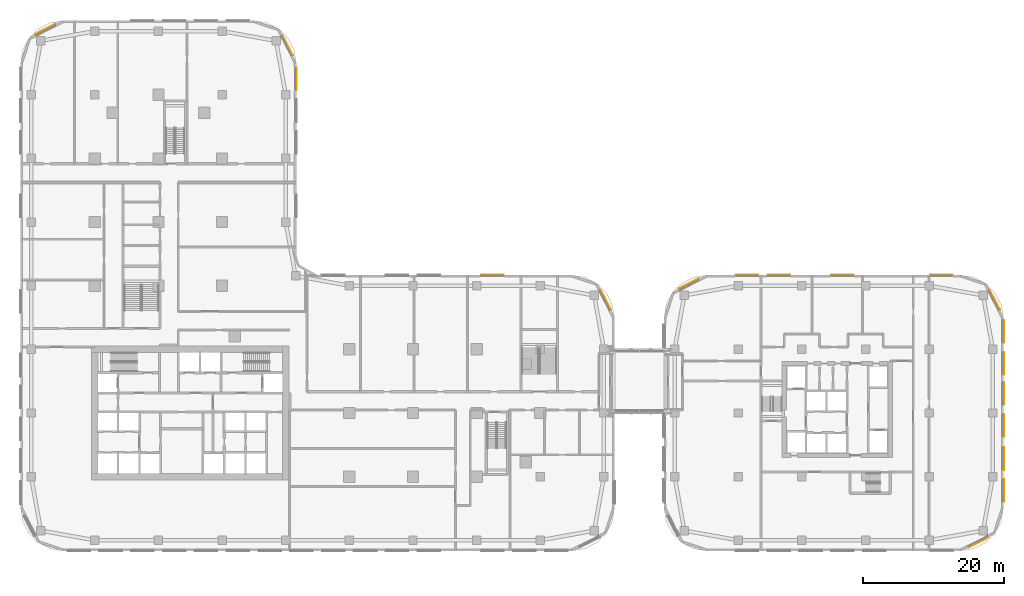
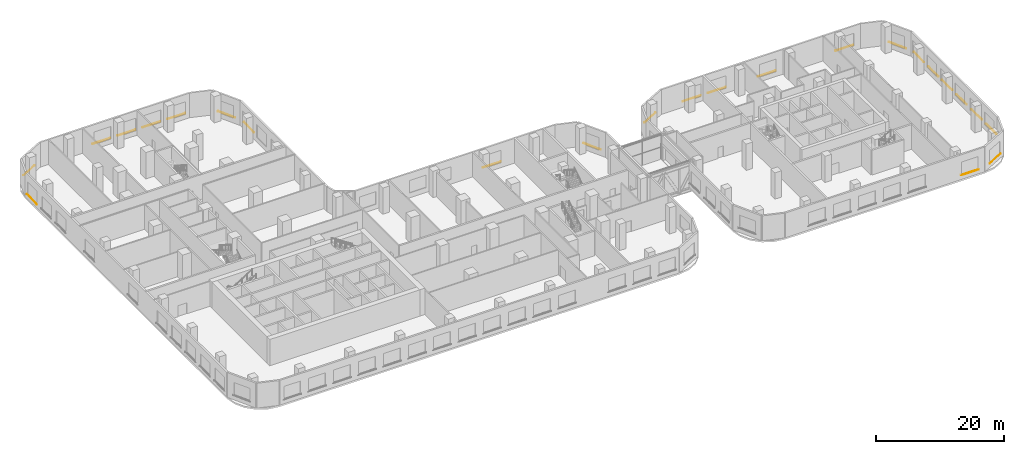
# One storey, part 35 of 35: 24 coverings.
"""IFC4 building model written with IfcOpenShell, lengths in metres."""

from ifc_helpers import new_model, si_unit, direction, frame, origin, origin_2d, place, context, subcontext, project, spatial, rectangle, extrude, material, layer, layer_set, type_object, element, save


model = new_model("IFC4")

# Units and contexts
model_context = context("Model", 3, precision=1e-05, world=origin(), true_north=direction((0.0, 1.0)))
body_context = subcontext(model_context, "Body", "Model", "MODEL_VIEW")
ifc_project = project(units=[si_unit("LENGTHUNIT", "METRE"), si_unit("AREAUNIT", "SQUARE_METRE"), si_unit("VOLUMEUNIT", "CUBIC_METRE"), si_unit("PLANEANGLEUNIT", "RADIAN"), si_unit("MASSUNIT", "GRAM", prefix="KILO")], contexts=[model_context])

# Site, building, storey
site_placement = place(None, origin())
site = spatial("IfcSite", under=ifc_project, at=site_placement, CompositionType="ELEMENT")
building_placement = place(site_placement, origin())
building = spatial("IfcBuilding", under=site, at=building_placement, Name="Ogive Portal Towers", CompositionType="ELEMENT")
storey_placement = place(building_placement, frame((0.0, 0.0, 18.5)))
storey = spatial("IfcBuildingStorey", under=building, at=storey_placement, Name="L03", CompositionType="ELEMENT", Elevation=18.5)

# Coverings
ifc_material = material(Name="Limestone cladding on lightweight block wall", Category="masonry")
ifc_layer = layer(ifc_material, 0.080078125)
ifc_layer_set = layer_set([ifc_layer], Name="STONE SILL 80")
covering_type = type_object("IfcCoveringType", Name="STONE SILL 80", PredefinedType="CLADDING", material=ifc_layer_set)
for number, where, z_axis, x_axis, name in (
    (1, (103.766357421875, 46.50927734375, 0.840087890625), (0.0, 0.0, 1.0), (-0.45399049974, 0.891006524188, 0.0), "Stone sill"),
    (2, (87.75, 50.0400390625, 0.840087890625), (0.0, 0.0, 1.0), (-1.0, 0.0, 0.0), "Stone sill"),
    (3, (60.0400390625, 77.75, 0.840087890625), (0.0, 0.0, 1.0), (0.0, 1.0, 0.0), "Stone sill"),
    (4, (58.766357421875, 82.50927734375, 0.840087890625), (0.0, 0.0, 1.0), (-0.45399049974, 0.891006524188, 0.0), "Stone sill"),
    (5, (51.726318359375, 86.0400390625, 0.840087890625), (0.0, 0.0, 1.0), (-1.0, 0.0, 0.0), "Stone sill"),
    (6, (47.25, 86.0400390625, 0.840087890625), (0.0, 0.0, 1.0), (-1.0, 0.0, 0.0), "Stone sill"),
    (7, (42.75, 86.0400390625, 0.840087890625), (0.0, 0.0, 1.0), (-1.0, 0.0, 0.0), "Stone sill"),
    (8, (38.25, 86.0400390625, 0.840087890625), (0.0, 0.0, 1.0), (-1.0, 0.0, 0.0), "Stone sill"),
    (9, (24.49072265625, 84.766357421875, 0.840087890625), (0.0, 0.0, 1.0), (-0.891006524188, -0.45399049974, 0.0), "Stone sill"),
    (10, (20.9599609375, 77.726318359375, 0.840087890625), (0.0, 0.0, 1.0), (0.0, -1.0, 0.0), "Stone sill"),
    (11, (151.273681640625, 10.9599609375, 0.840087890625), (0.0, 0.0, 1.0), (1.0, 0.0, 0.0), "Stone sill"),
    (12, (156.50927734375, 12.233642578125, 0.840087890625), (0.0, 0.0, 1.0), (0.891006524188, 0.45399049974, 0.0), "Stone sill"),
    (13, (160.0400390625, 19.523681640625, 0.840087890625), (0.0, 0.0, 1.0), (0.0, 1.0, 0.0), "Stone sill"),
    (14, (160.0400390625, 24.023681640625, 0.840087890625), (0.0, 0.0, 1.0), (0.0, 1.0, 0.0), "Stone sill"),
    (15, (160.0400390625, 28.75, 0.840087890625), (0.0, 0.0, 1.0), (0.0, 1.0, 0.0), "Stone sill"),
    (16, (160.0400390625, 33.25, 0.840087890625), (0.0, 0.0, 1.0), (0.0, 1.0, 0.0), "Stone sill"),
    (17, (160.0400390625, 37.523681640625, 0.840087890625), (0.0, 0.0, 1.0), (0.0, 1.0, 0.0), "Stone sill"),
    (18, (160.0400390625, 42.023681640625, 0.840087890625), (0.0, 0.0, 1.0), (0.0, 1.0, 0.0), "Stone sill"),
    (19, (158.766357421875, 46.50927734375, 0.840087890625), (0.0, 0.0, 1.0), (-0.45399049974, 0.891006524188, 0.0), "Stone sill"),
    (20, (151.226318359375, 50.0400390625, 0.840087890625), (0.0, 0.0, 1.0), (-1.0, 0.0, 0.0), "Stone sill"),
    (21, (137.25, 50.0400390625, 0.840087890625), (0.0, 0.0, 1.0), (-1.0, 0.0, 0.0), "Stone sill"),
    (22, (128.25, 50.0400390625, 0.840087890625), (0.0, 0.0, 1.0), (-1.0, 0.0, 0.0), "Stone sill"),
    (23, (123.75, 50.0400390625, 0.840087890625), (0.0, 0.0, 1.0), (-1.0, 0.0, 0.0), "Stone sill"),
    (24, (115.49072265625, 48.766357421875, 0.840087890625), (0.0, 0.0, 1.0), (-0.891006524188, -0.45399049974, 0.0), "Stone sill"),
):
    element("IfcCovering", number, at=place(storey_placement, frame(where, z_axis=z_axis, x_axis=x_axis)), inside=storey, type_object=covering_type, Name=name, PredefinedType="CLADDING", context=body_context, shape_type="SweptSolid", body=[
        extrude(rectangle(XDim=3.199951171875, YDim=0.080078125, at=origin_2d()), origin(), (0.0, 0.0, 1.0), 0.06005859375),
    ])

save(model, "model.ifc")
